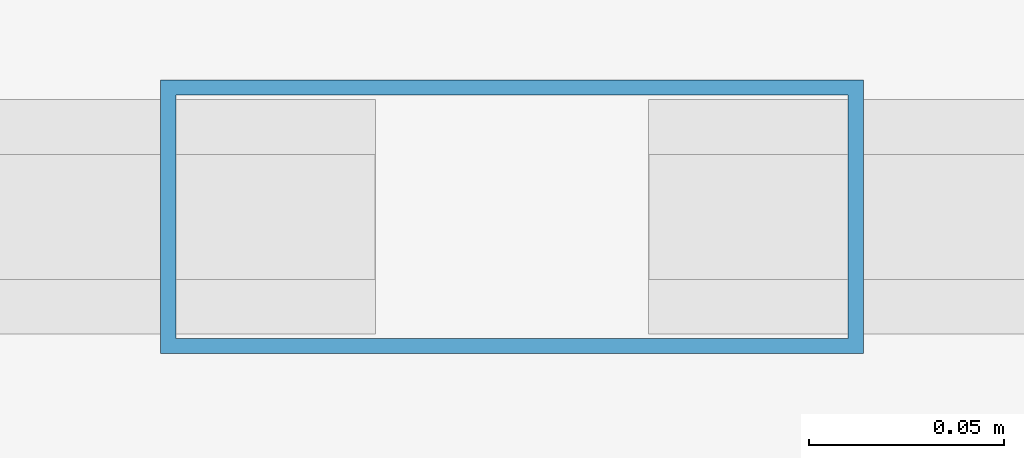
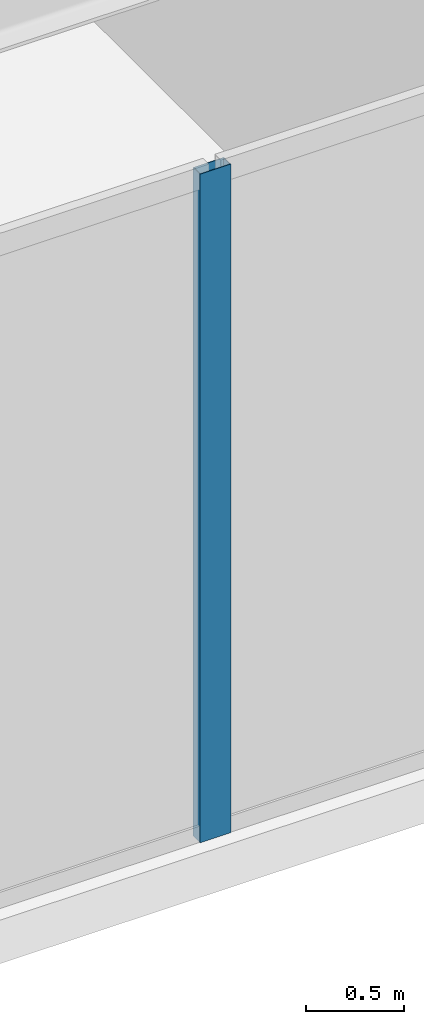
# One storey, part 12 of 30: 1 member, 1 element without a shape of its own.
"""IFC4 building model written with IfcOpenShell, lengths in metres."""

import ifcopenshell
import ifcopenshell.guid

model = None  # the IFC model being written
_history = None  # IfcOwnerHistory: only IFC2X3 demands one
_inside = {}  # id of a spatial element -> (the spatial element, [elements in it])
_under = {}  # id of a project, library or spatial element -> (it, [spatial elements below it])
_declared = {}  # id of a project -> (the project, [libraries it declares])
_typed = {}  # id of a type object -> (the type object, [elements of that type])
_made_of = {}  # id of a material, layer set ... -> (it, [elements and type objects made of it])


def new_model(schema):
    """Start an empty IFC model of exactly this schema.

    Asked for "IFC4X3", IfcOpenShell would pick the latest addendum, in which some entities
    have other attributes; the version numbers below select the first issue.
    IFC2X3 requires an IfcOwnerHistory on every rooted entity: one is made here for all.
    """
    global model, _history
    if schema == "IFC4X3":
        model = ifcopenshell.file(schema_version=(4, 3, 0, 0))
    else:
        model = ifcopenshell.file(schema=schema)
    _inside.clear()
    _under.clear()
    _declared.clear()
    _typed.clear()
    _made_of.clear()
    _history = None
    if model.schema == "IFC2X3":
        org = make("IfcOrganization", Name="unknown")
        user = make(
            "IfcPersonAndOrganization",
            ThePerson=make("IfcPerson", FamilyName="unknown"),
            TheOrganization=org,
        )
        app = make(
            "IfcApplication",
            ApplicationDeveloper=org,
            Version="unknown",
            ApplicationFullName="unknown",
            ApplicationIdentifier="unknown",
        )
        _history = make(
            "IfcOwnerHistory",
            OwningUser=user,
            OwningApplication=app,
            ChangeAction="ADDED",
            CreationDate=0,
        )
    return model


def make(cls, **values):
    """One entity of the class cls with the attributes given. An attribute that is None is left unset."""
    return model.create_entity(
        cls, **{name: value for name, value in values.items() if value is not None}
    )


def rooted(cls, **values):
    """An entity with a GlobalId (a new one), such as an element, a storey or a relation."""
    return make(cls, GlobalId=ifcopenshell.guid.new(), OwnerHistory=_history, **values)


def si_unit(unit_type, name, prefix=None):
    """IfcSIUnit, for example si_unit("LENGTHUNIT", "METRE", prefix="MILLI")."""
    return make("IfcSIUnit", UnitType=unit_type, Prefix=prefix, Name=name)


def assignment(units):
    """IfcUnitAssignment: the units of a project."""
    return None if units is None else make("IfcUnitAssignment", Units=units)


def point(xyz):
    """IfcCartesianPoint."""
    return None if xyz is None else make("IfcCartesianPoint", Coordinates=xyz)


def direction(xyz):
    """IfcDirection."""
    return None if xyz is None else make("IfcDirection", DirectionRatios=xyz)


def frame(location, z_axis=None, x_axis=None):
    """IfcAxis2Placement3D, a coordinate frame: its origin and axes. An axis left out is left unset."""
    return make(
        "IfcAxis2Placement3D",
        Location=point(location),
        Axis=direction(z_axis),
        RefDirection=direction(x_axis),
    )


def frame_2d(location, x_axis=None):
    """IfcAxis2Placement2D, a coordinate frame in the plane: its origin and x axis."""
    return make(
        "IfcAxis2Placement2D", Location=point(location), RefDirection=direction(x_axis)
    )


def origin():
    """The frame at (0, 0, 0) with its axes left unset."""
    return frame((0.0, 0.0, 0.0))


def origin_2d():
    """The frame at (0, 0) in the plane with its x axis left unset."""
    return frame_2d((0.0, 0.0))


def place(relative_to, where):
    """IfcLocalPlacement: puts the frame where relative to a parent placement (None: the world)."""
    return make(
        "IfcLocalPlacement", PlacementRelTo=relative_to, RelativePlacement=where
    )


def context(
    kind, dimensions, precision=None, world=None, true_north=None, identifier=None
):
    """IfcGeometricRepresentationContext, for example the 3D "Model" context."""
    return make(
        "IfcGeometricRepresentationContext",
        ContextIdentifier=identifier,
        ContextType=kind,
        CoordinateSpaceDimension=dimensions,
        Precision=precision,
        WorldCoordinateSystem=world,
        TrueNorth=true_north,
    )


def subcontext(parent, identifier, kind, view, scale=None):
    """IfcGeometricRepresentationSubContext, for example "Body" below "Model"."""
    return make(
        "IfcGeometricRepresentationSubContext",
        ContextIdentifier=identifier,
        ContextType=kind,
        ParentContext=parent,
        TargetScale=scale,
        TargetView=view,
    )


def project(units=None, contexts=None):
    """IfcProject with its units and contexts."""
    return rooted(
        "IfcProject",
        Name="project",
        RepresentationContexts=contexts,
        UnitsInContext=assignment(units),
    )


def spatial(cls, under=None, at=None, **own):
    """A site, building, storey or space (cls), placed at a placement, below another one or the project."""
    s = rooted(cls, ObjectPlacement=at, **own)
    if under is not None:
        _under.setdefault(under.id(), (under, []))[1].append(s)
    return s


def profile(cls, at=None, kind="AREA", **sizes):
    """A parametric profile (cls). Its sizes go by their IFC names, for example OverallWidth=200.0."""
    return make(cls, ProfileType=kind, Position=at, **sizes)


def hollow_rectangle(**sizes):
    """IfcRectangleHollowProfileDef."""
    return profile("IfcRectangleHollowProfileDef", **sizes)


def extrude(swept, where, along, depth):
    """IfcExtrudedAreaSolid: the profile swept, set in the frame where, extruded along a direction by depth."""
    return make(
        "IfcExtrudedAreaSolid",
        SweptArea=swept,
        Position=where,
        ExtrudedDirection=direction(along),
        Depth=depth,
    )


def shape(context_of_items, identifier, shape_type, items):
    """IfcShapeRepresentation: the items that make up one representation, for example the "Body"."""
    return make(
        "IfcShapeRepresentation",
        ContextOfItems=context_of_items,
        RepresentationIdentifier=identifier,
        RepresentationType=shape_type,
        Items=items,
    )


def material(Name=None, Category=None):
    """IfcMaterial."""
    return make("IfcMaterial", Name=Name, Category=Category)


def layer(
    of_material, thickness, ventilated=None, Name=None, Category=None, Priority=None
):
    """IfcMaterialLayer: one layer of a wall or slab, of a material (None: an air gap)."""
    return make(
        "IfcMaterialLayer",
        Material=of_material,
        LayerThickness=thickness,
        IsVentilated=ventilated,
        Name=Name,
        Category=Category,
        Priority=Priority,
    )


def layer_set(layers, Name=None):
    """IfcMaterialLayerSet."""
    return make("IfcMaterialLayerSet", MaterialLayers=layers, LayerSetName=Name)


def material_profile(
    of_material, cross_section, Name=None, Category=None, Priority=None
):
    """IfcMaterialProfile: a cross section and its material."""
    return make(
        "IfcMaterialProfile",
        Name=Name,
        Material=of_material,
        Profile=cross_section,
        Priority=Priority,
        Category=Category,
    )


def profile_set(profiles, Name=None, composite=None):
    """IfcMaterialProfileSet."""
    return make(
        "IfcMaterialProfileSet",
        Name=Name,
        MaterialProfiles=profiles,
        CompositeProfile=composite,
    )


def made_of(thing, what):
    """Note that an element or type object is made of a material, layer set ...; save() writes the relation."""
    if what is not None:
        _made_of.setdefault(what.id(), (what, []))[1].append(thing)
    return thing


def type_object(cls, material=None, **own):
    """A type object (cls), such as IfcWallType, which elements share."""
    return made_of(rooted(cls, **own), material)


def element(
    cls,
    number,
    at=None,
    inside=None,
    cuts=None,
    type_object=None,
    material=None,
    context=None,
    identifier="Body",
    shape_type=None,
    held_by="IfcProductDefinitionShape",
    body=None,
    shapes=None,
    **own,
):
    """One element of the class cls, such as IfcWall. Its Tag is "e" and its number.

    at: its placement. inside: the storey or other place that contains it. cuts: it is an
    opening in that element (IfcRelVoidsElement). A single representation is given by context,
    identifier, shape_type and body (its items); several are given by shapes. held_by: the class
    of the entity that holds the representations. save() writes the other relations.
    """
    e = rooted(cls, Tag="e%d" % number, ObjectPlacement=at, **own)
    if body is not None:
        shapes = [shape(context, identifier, shape_type, body)]
    if shapes is not None:
        e.Representation = make(held_by, Representations=shapes)
    if inside is not None:
        _inside.setdefault(inside.id(), (inside, []))[1].append(e)
    if cuts is not None:
        rooted(
            "IfcRelVoidsElement", RelatingBuildingElement=cuts, RelatedOpeningElement=e
        )
    if type_object is not None:
        _typed.setdefault(type_object.id(), (type_object, []))[1].append(e)
    return made_of(e, material)


def aggregate(whole, parts):
    """IfcRelAggregates: a whole, such as a stair, and the parts it consists of."""
    return rooted("IfcRelAggregates", RelatingObject=whole, RelatedObjects=parts)


def save(model, path):
    """Write the relations noted so far, then the file.

    IfcRelAggregates (storeys below a building ...), IfcRelContainedInSpatialStructure (elements
    in a storey), IfcRelDefinesByType, IfcRelAssociatesMaterial and IfcRelDeclares: one each for
    every whole, place, type object, material and project.
    """
    for whole, parts in _under.values():
        aggregate(whole, parts)
    for where, things in _inside.values():
        rooted(
            "IfcRelContainedInSpatialStructure",
            RelatedElements=things,
            RelatingStructure=where,
        )
    for kind, things in _typed.values():
        rooted("IfcRelDefinesByType", RelatedObjects=things, RelatingType=kind)
    for what, things in _made_of.values():
        rooted("IfcRelAssociatesMaterial", RelatedObjects=things, RelatingMaterial=what)
    for by, libraries in _declared.values():
        rooted("IfcRelDeclares", RelatingContext=by, RelatedDefinitions=libraries)
    model.write(path)


model = new_model("IFC4")

# Units and contexts
model_context = context("Model", 3, precision=1e-05, world=origin(), true_north=direction((0.0, 1.0)))
body_context = subcontext(model_context, "Body", "Model", "MODEL_VIEW")
ifc_project = project(units=[si_unit("LENGTHUNIT", "METRE"), si_unit("AREAUNIT", "SQUARE_METRE"), si_unit("VOLUMEUNIT", "CUBIC_METRE"), si_unit("PLANEANGLEUNIT", "RADIAN"), si_unit("MASSUNIT", "GRAM", prefix="KILO")], contexts=[model_context])

# Site, building, storey
site_placement = place(None, origin())
site = spatial("IfcSite", under=ifc_project, at=site_placement, CompositionType="ELEMENT")
building_placement = place(site_placement, origin())
building = spatial("IfcBuilding", under=site, at=building_placement, Name="Kravanh Interchange Tower", CompositionType="ELEMENT")
storey_placement = place(building_placement, frame((0.0, 0.0, 19.800048828125)))
storey = spatial("IfcBuildingStorey", under=building, at=storey_placement, Name="L04", CompositionType="ELEMENT", Elevation=19.800048828125)

# Curtain wall, member
ifc_material_1 = material(Name="Anodised Bronze Aluminium", Category="aluminium")
ifc_layer = layer(ifc_material_1, 0.179931640625)
ifc_layer_set = layer_set([ifc_layer], Name="Unitised Curtain Wall System CW-POD Podium Concourse")
curtain_wall_type = type_object("IfcCurtainWallType", Name="Unitised Curtain Wall System CW-POD Podium Concourse", PredefinedType="NOTDEFINED", material=ifc_layer_set)
curtain_wall_placement = place(storey_placement, origin())
curtain_wall = element("IfcCurtainWall", 1, at=curtain_wall_placement, inside=storey, type_object=curtain_wall_type, Name="L04 Unitised Curtain Wall CW-L04-04", PredefinedType="NOTDEFINED")
ifc_material_2 = material(Name="Anodised Bronze Aluminium", Category="aluminium")
ifc_material_profile = material_profile(ifc_material_2, hollow_rectangle(XDim=0.070068359375, YDim=0.179931640625, WallThickness=0.00390625, at=origin_2d()), Name="ALU70X180X4")
ifc_profile_set = profile_set([ifc_material_profile], Name="Anodised Bronze Aluminium")
member_type = type_object("IfcMemberType", Name="Curtain Wall Mullion ALU70X180X4 Bronze", PredefinedType="MULLION", material=ifc_profile_set)
member_placement = place(storey_placement, frame((34.357666015625, 0.1201171875, 0.0), z_axis=(0.0, 0.0, 1.0), x_axis=(0.0, -1.0, 0.0)))
member = element("IfcMember", 2, at=member_placement, type_object=member_type, Name="CW-POD mullion 8", PredefinedType="MULLION", context=body_context, shape_type="SweptSolid", body=[
    extrude(hollow_rectangle(XDim=0.070068359375, YDim=0.179931640625, WallThickness=0.00390625, at=origin_2d()), origin(), (0.0, 0.0, 1.0), 4.14990234375),
])
aggregate(curtain_wall, [member])

save(model, "model.ifc")
